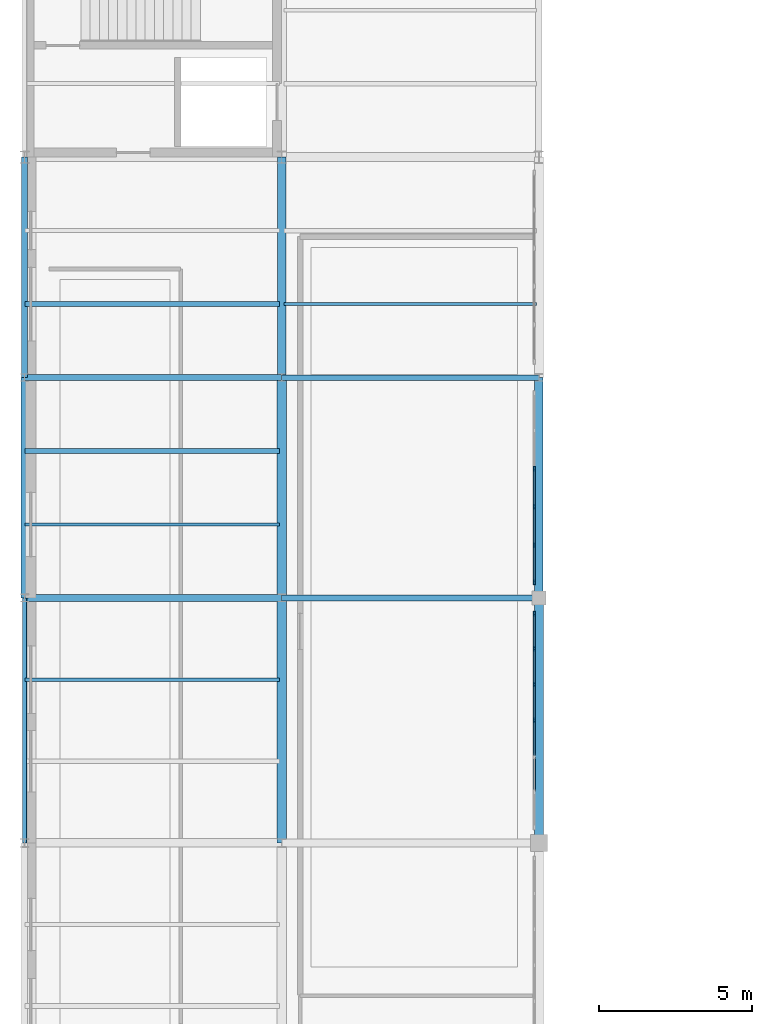
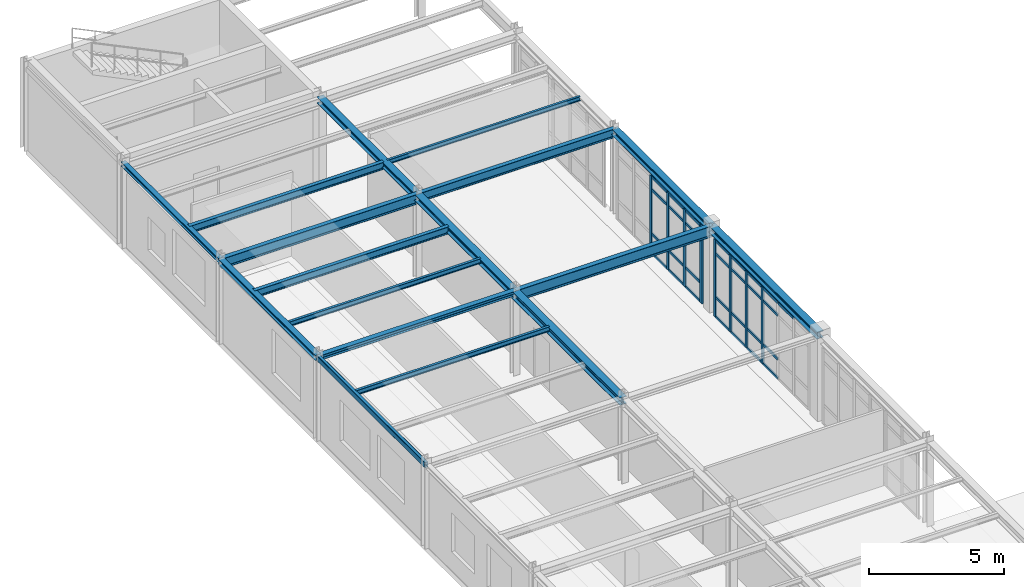
# One storey, part 18 of 58: 37 members, 17 beams, 2 elements without a shape of their own.
"""IFC4 building model written with IfcOpenShell, lengths in metres."""

from ifc_helpers import new_model, si_unit, derived_unit, direction, frame, origin, origin_2d, place, context, subcontext, project, spatial, rectangle, hollow_rectangle, i_section, extrude, material, layer, layer_set, material_profile, profile_set, type_object, element, aggregate, save


model = new_model("IFC4")

# Units and contexts
model_context = context("Model", 3, precision=1e-05, world=origin(), true_north=direction((0.0, 1.0)))
body_context = subcontext(model_context, "Body", "Model", "MODEL_VIEW")
ifc_project = project(units=[si_unit("LENGTHUNIT", "METRE"), si_unit("AREAUNIT", "SQUARE_METRE"), si_unit("VOLUMEUNIT", "CUBIC_METRE"), si_unit("PLANEANGLEUNIT", "RADIAN"), si_unit("MASSUNIT", "GRAM", prefix="KILO"), derived_unit("THERMALTRANSMITTANCEUNIT", [(si_unit("POWERUNIT", "WATT"), 1), (si_unit("AREAUNIT", "SQUARE_METRE"), -1), (si_unit("THERMODYNAMICTEMPERATUREUNIT", "KELVIN"), -1)])], contexts=[model_context])

# Site, building, storey
site_placement = place(None, origin())
site = spatial("IfcSite", under=ifc_project, at=site_placement, CompositionType="ELEMENT")
building_placement = place(site_placement, origin())
building = spatial("IfcBuilding", under=site, at=building_placement, Name="Yasenodar Specialist Clinic", CompositionType="ELEMENT")
storey_placement = place(building_placement, frame((0.0, 0.0, 17.25)))
storey = spatial("IfcBuildingStorey", under=building, at=storey_placement, Name="L04", CompositionType="ELEMENT", Elevation=17.25)

# Beams
ifc_material_1 = material(Name="Steel S355", Category="steel")
ifc_material_profile_1 = material_profile(ifc_material_1, i_section(OverallWidth=0.219970703125, OverallDepth=0.2099609375, WebThickness=0.007080078125, FlangeThickness=0.010986328125, FilletRadius=0.01806640625, at=origin_2d()), Name="HEA 220")
ifc_profile_set_1 = profile_set([ifc_material_profile_1], Name="Steel S355")
beam_type_1 = type_object("IfcBeamType", Name="BM-HEA220", PredefinedType="BEAM", material=ifc_profile_set_1)
beam_1_placement = place(storey_placement, frame((0.0, 82.800048828125, 3.695068359375), z_axis=(1.0, 0.0, 0.0), x_axis=(0.0, 1.0, 0.0)))
element("IfcBeam", 1, at=beam_1_placement, inside=storey, type_object=beam_type_1, Name="L04 Primary E-W Girder", PredefinedType="BEAM", context=body_context, shape_type="SweptSolid", body=[
    extrude(i_section(OverallWidth=0.219970703125, OverallDepth=0.2099609375, WebThickness=0.007080078125, FlangeThickness=0.010986328125, FilletRadius=0.01806640625, at=origin_2d()), origin(), (0.0, 0.0, 1.0), 8.39990234375),
])
ifc_material_profile_2 = material_profile(ifc_material_1, i_section(OverallWidth=0.280029296875, OverallDepth=0.280029296875, WebThickness=0.010498046875, FlangeThickness=0.01806640625, FilletRadius=0.02392578125, at=origin_2d()), Name="HEB 280")
ifc_profile_set_2 = profile_set([ifc_material_profile_2], Name="Steel S355")
beam_type_2 = type_object("IfcBeamType", Name="BM-HEB280", PredefinedType="BEAM", material=ifc_profile_set_2)
for number, where, z_axis, x_axis, name in (
    (2, (8.39990234375, 90.0, 3.659912109375), (0.0, 1.0, 0.0), (-1.0, 0.0, 0.0), "L04 Primary N-S Girder"),
    (3, (16.800048828125, 82.800048828125, 3.659912109375), (0.0, 1.0, 0.0), (-1.0, 0.0, 0.0), "L04 Primary N-S Girder"),
):
    element("IfcBeam", number, at=place(storey_placement, frame(where, z_axis=z_axis, x_axis=x_axis)), inside=storey, type_object=beam_type_2, Name=name, PredefinedType="BEAM", context=body_context, shape_type="SweptSolid", body=[
        extrude(i_section(OverallWidth=0.280029296875, OverallDepth=0.280029296875, WebThickness=0.010498046875, FlangeThickness=0.01806640625, FilletRadius=0.02392578125, at=origin_2d()), origin(), (0.0, 0.0, 1.0), 7.199951171875),
    ])
ifc_material_profile_3 = material_profile(ifc_material_1, i_section(OverallWidth=0.300048828125, OverallDepth=0.300048828125, WebThickness=0.010986328125, FlangeThickness=0.01904296875, FilletRadius=0.027099609375, at=origin_2d()), Name="HEB 300")
ifc_profile_set_3 = profile_set([ifc_material_profile_3], Name="Steel S355")
beam_type_3 = type_object("IfcBeamType", Name="BM-HEB300", PredefinedType="BEAM", material=ifc_profile_set_3)
beam_2_placement = place(storey_placement, frame((8.39990234375, 82.800048828125, 3.64990234375), z_axis=(0.0, 1.0, 0.0), x_axis=(-1.0, 0.0, 0.0)))
element("IfcBeam", 4, at=beam_2_placement, inside=storey, type_object=beam_type_3, Name="L04 Primary N-S Girder", PredefinedType="BEAM", context=body_context, shape_type="SweptSolid", body=[
    extrude(i_section(OverallWidth=0.300048828125, OverallDepth=0.300048828125, WebThickness=0.010986328125, FlangeThickness=0.01904296875, FilletRadius=0.027099609375, at=origin_2d()), origin(), (0.0, 0.0, 1.0), 7.199951171875),
])
beam_3_placement = place(storey_placement, frame((16.800048828125, 74.800048828125, 3.64990234375), z_axis=(0.0, 1.0, 0.0), x_axis=(-1.0, 0.0, 0.0)))
element("IfcBeam", 5, at=beam_3_placement, inside=storey, type_object=beam_type_3, Name="L04 Primary N-S Girder", PredefinedType="BEAM", context=body_context, shape_type="SweptSolid", body=[
    extrude(i_section(OverallWidth=0.300048828125, OverallDepth=0.300048828125, WebThickness=0.010986328125, FlangeThickness=0.01904296875, FilletRadius=0.027099609375, at=origin_2d()), origin(), (0.0, 0.0, 1.0), 8.0),
])
ifc_material_profile_4 = material_profile(ifc_material_1, i_section(OverallWidth=0.300048828125, OverallDepth=0.340087890625, WebThickness=0.011962890625, FlangeThickness=0.021484375, FilletRadius=0.027099609375, at=origin_2d()), Name="HEB 340")
ifc_profile_set_4 = profile_set([ifc_material_profile_4], Name="Steel S355")
beam_type_4 = type_object("IfcBeamType", Name="BM-HEB340", PredefinedType="BEAM", material=ifc_profile_set_4)
beam_4_placement = place(storey_placement, frame((8.39990234375, 74.800048828125, 3.6298828125), z_axis=(0.0, 1.0, 0.0), x_axis=(-1.0, 0.0, 0.0)))
element("IfcBeam", 6, at=beam_4_placement, inside=storey, type_object=beam_type_4, Name="L04 Primary N-S Girder", PredefinedType="BEAM", context=body_context, shape_type="SweptSolid", body=[
    extrude(i_section(OverallWidth=0.300048828125, OverallDepth=0.340087890625, WebThickness=0.011962890625, FlangeThickness=0.021484375, FilletRadius=0.027099609375, at=origin_2d()), origin(), (0.0, 0.0, 1.0), 8.0),
])
ifc_material_profile_5 = material_profile(ifc_material_1, i_section(OverallWidth=0.179931640625, OverallDepth=0.39990234375, WebThickness=0.008544921875, FlangeThickness=0.013427734375, FilletRadius=0.02099609375, at=origin_2d()), Name="IPE 400")
ifc_profile_set_5 = profile_set([ifc_material_profile_5], Name="Steel S355")
beam_type_5 = type_object("IfcBeamType", Name="BM-IPE400", PredefinedType="BEAM", material=ifc_profile_set_5)
beam_5_placement = place(storey_placement, frame((8.39990234375, 90.0, 3.60009765625), z_axis=(1.0, 0.0, 0.0), x_axis=(0.0, 1.0, 0.0)))
element("IfcBeam", 7, at=beam_5_placement, inside=storey, type_object=beam_type_5, Name="L04 Primary E-W Girder", PredefinedType="BEAM", context=body_context, shape_type="SweptSolid", body=[
    extrude(i_section(OverallWidth=0.179931640625, OverallDepth=0.39990234375, WebThickness=0.008544921875, FlangeThickness=0.013427734375, FilletRadius=0.02099609375, at=origin_2d()), origin(), (0.0, 0.0, 1.0), 8.400146484375),
])
ifc_material_profile_6 = material_profile(ifc_material_1, i_section(OverallWidth=0.18994140625, OverallDepth=0.449951171875, WebThickness=0.009521484375, FlangeThickness=0.0146484375, FilletRadius=0.02099609375, at=origin_2d()), Name="IPE 450")
ifc_profile_set_6 = profile_set([ifc_material_profile_6], Name="Steel S355")
beam_type_6 = type_object("IfcBeamType", Name="BM-IPE450", PredefinedType="BEAM", material=ifc_profile_set_6)
beam_6_placement = place(storey_placement, frame((0.0, 90.0, 3.574951171875), z_axis=(1.0, 0.0, 0.0), x_axis=(0.0, 1.0, 0.0)))
element("IfcBeam", 8, at=beam_6_placement, inside=storey, type_object=beam_type_6, Name="L04 Primary E-W Girder", PredefinedType="BEAM", context=body_context, shape_type="SweptSolid", body=[
    extrude(i_section(OverallWidth=0.18994140625, OverallDepth=0.449951171875, WebThickness=0.009521484375, FlangeThickness=0.0146484375, FilletRadius=0.02099609375, at=origin_2d()), origin(), (0.0, 0.0, 1.0), 8.39990234375),
])
ifc_material_profile_7 = material_profile(ifc_material_1, i_section(OverallWidth=0.199951171875, OverallDepth=0.5, WebThickness=0.01025390625, FlangeThickness=0.01611328125, FilletRadius=0.02099609375, at=origin_2d()), Name="IPE 500")
ifc_profile_set_7 = profile_set([ifc_material_profile_7], Name="Steel S355")
beam_type_7 = type_object("IfcBeamType", Name="BM-IPE500", PredefinedType="BEAM", material=ifc_profile_set_7)
beam_7_placement = place(storey_placement, frame((8.39990234375, 82.800048828125, 3.550048828125), z_axis=(1.0, 0.0, 0.0), x_axis=(0.0, 1.0, 0.0)))
element("IfcBeam", 9, at=beam_7_placement, inside=storey, type_object=beam_type_7, Name="L04 Primary E-W Girder", PredefinedType="BEAM", context=body_context, shape_type="SweptSolid", body=[
    extrude(i_section(OverallWidth=0.199951171875, OverallDepth=0.5, WebThickness=0.01025390625, FlangeThickness=0.01611328125, FilletRadius=0.02099609375, at=origin_2d()), origin(), (0.0, 0.0, 1.0), 8.400146484375),
])

# Curtain wall, members
ifc_material_2 = material(Name="Bronze Anodized Aluminium and Triple Low-E Glass", Category="aluminium")
ifc_layer = layer(ifc_material_2, 0.202880859375)
ifc_layer_set = layer_set([ifc_layer], Name="Bronze Anodized Aluminium and Triple Low-E Glass")
curtain_wall_type = type_object("IfcCurtainWallType", Name="CW-SYS-04", PredefinedType="USERDEFINED", material=ifc_layer_set)
curtain_wall_1_placement = place(storey_placement, origin())
curtain_wall_1 = element("IfcCurtainWall", 10, at=curtain_wall_1_placement, inside=storey, type_object=curtain_wall_type, Name="L04 Unitised Curtain Wall 137", ObjectType="UNITISED CURTAIN WALL", PredefinedType="USERDEFINED")
ifc_material_3 = material(Name="Bronze Anodized Aluminium", Category="aluminium")
ifc_material_profile_8 = material_profile(ifc_material_3, rectangle(XDim=0.06005859375, YDim=0.159912109375, at=origin_2d()), Name="CW-MULL 60x160")
ifc_profile_set_8 = profile_set([ifc_material_profile_8], Name="Bronze Anodized Aluminium")
member_type_1 = type_object("IfcMemberType", Name="CW-MULL-160", PredefinedType="MULLION", material=ifc_profile_set_8)
member_1_placement = place(storey_placement, frame((16.64990234375, 87.02392578125, 0.0), z_axis=(0.0, 0.0, 1.0), x_axis=(1.0, 0.0, 0.0)))
member_1 = element("IfcMember", 11, at=member_1_placement, type_object=member_type_1, Name="CW-04 mullion 3", PredefinedType="MULLION", context=body_context, shape_type="SweptSolid", body=[
    extrude(rectangle(XDim=0.06005859375, YDim=0.159912109375, at=origin_2d()), origin(), (0.0, 0.0, 1.0), 3.498046875),
])
member_2_placement = place(storey_placement, frame((16.64990234375, 85.77587890625, 0.0), z_axis=(0.0, 0.0, 1.0), x_axis=(1.0, 0.0, 0.0)))
member_2 = element("IfcMember", 12, at=member_2_placement, type_object=member_type_1, Name="CW-04 mullion 4", PredefinedType="MULLION", context=body_context, shape_type="SweptSolid", body=[
    extrude(rectangle(XDim=0.06005859375, YDim=0.159912109375, at=origin_2d()), origin(), (0.0, 0.0, 1.0), 3.498046875),
])
member_3_placement = place(storey_placement, frame((16.64990234375, 84.528076171875, 0.0), z_axis=(0.0, 0.0, 1.0), x_axis=(1.0, 0.0, 0.0)))
member_3 = element("IfcMember", 13, at=member_3_placement, type_object=member_type_1, Name="CW-04 mullion 5", PredefinedType="MULLION", context=body_context, shape_type="SweptSolid", body=[
    extrude(rectangle(XDim=0.06005859375, YDim=0.159912109375, at=origin_2d()), origin(), (0.0, 0.0, 1.0), 3.498046875),
])
member_4_placement = place(storey_placement, frame((16.64990234375, 83.31005859375, 0.0), z_axis=(0.0, 0.0, 1.0), x_axis=(1.0, 0.0, 0.0)))
member_4 = element("IfcMember", 14, at=member_4_placement, type_object=member_type_1, Name="CW-04 mullion 6", PredefinedType="MULLION", context=body_context, shape_type="SweptSolid", body=[
    extrude(rectangle(XDim=0.06005859375, YDim=0.159912109375, at=origin_2d()), origin(), (0.0, 0.0, 1.0), 3.498046875),
])

curtain_wall_2_placement = place(storey_placement, origin())
curtain_wall_2 = element("IfcCurtainWall", 15, at=curtain_wall_2_placement, inside=storey, type_object=curtain_wall_type, Name="L04 Unitised Curtain Wall 138", ObjectType="UNITISED CURTAIN WALL", PredefinedType="USERDEFINED")
member_5_placement = place(storey_placement, frame((16.64990234375, 82.2900390625, 0.0), z_axis=(0.0, 0.0, 1.0), x_axis=(1.0, 0.0, 0.0)))
member_5 = element("IfcMember", 16, at=member_5_placement, type_object=member_type_1, Name="CW-04 mullion 1", PredefinedType="MULLION", context=body_context, shape_type="SweptSolid", body=[
    extrude(rectangle(XDim=0.06005859375, YDim=0.159912109375, at=origin_2d()), origin(), (0.0, 0.0, 1.0), 3.47802734375),
])
member_6_placement = place(storey_placement, frame((16.64990234375, 81.146728515625, 0.0), z_axis=(0.0, 0.0, 1.0), x_axis=(1.0, 0.0, 0.0)))
member_6 = element("IfcMember", 17, at=member_6_placement, type_object=member_type_1, Name="CW-04 mullion 2", PredefinedType="MULLION", context=body_context, shape_type="SweptSolid", body=[
    extrude(rectangle(XDim=0.06005859375, YDim=0.159912109375, at=origin_2d()), origin(), (0.0, 0.0, 1.0), 3.47802734375),
])
member_7_placement = place(storey_placement, frame((16.64990234375, 79.973388671875, 0.0), z_axis=(0.0, 0.0, 1.0), x_axis=(1.0, 0.0, 0.0)))
member_7 = element("IfcMember", 18, at=member_7_placement, type_object=member_type_1, Name="CW-04 mullion 3", PredefinedType="MULLION", context=body_context, shape_type="SweptSolid", body=[
    extrude(rectangle(XDim=0.06005859375, YDim=0.159912109375, at=origin_2d()), origin(), (0.0, 0.0, 1.0), 3.47802734375),
])
member_8_placement = place(storey_placement, frame((16.64990234375, 78.800048828125, 0.0), z_axis=(0.0, 0.0, 1.0), x_axis=(1.0, 0.0, 0.0)))
member_8 = element("IfcMember", 19, at=member_8_placement, type_object=member_type_1, Name="CW-04 mullion 4", PredefinedType="MULLION", context=body_context, shape_type="SweptSolid", body=[
    extrude(rectangle(XDim=0.06005859375, YDim=0.159912109375, at=origin_2d()), origin(), (0.0, 0.0, 1.0), 3.47802734375),
])

# Member
ifc_material_profile_9 = material_profile(ifc_material_3, rectangle(XDim=0.06005859375, YDim=0.1201171875, at=origin_2d()), Name="CW-TRAN 60x120")
ifc_profile_set_9 = profile_set([ifc_material_profile_9], Name="Bronze Anodized Aluminium")
member_type_2 = type_object("IfcMemberType", Name="CW-TRAN-120", PredefinedType="USERDEFINED", material=ifc_profile_set_9)
member_9_placement = place(storey_placement, frame((16.64990234375, 86.993896484375, 0.030029296875), z_axis=(0.0, -1.0, 0.0), x_axis=(1.0, 0.0, 0.0)))
member_9 = element("IfcMember", 20, at=member_9_placement, type_object=member_type_2, Name="CW-04 transom 3.1", ObjectType="TRANSOM", PredefinedType="USERDEFINED", context=body_context, shape_type="SweptSolid", body=[
    extrude(rectangle(XDim=0.06005859375, YDim=0.1201171875, at=origin_2d()), origin(), (0.0, 0.0, 1.0), 1.18798828125),
])

member_10_placement = place(storey_placement, frame((16.64990234375, 86.993896484375, 0.89990234375), z_axis=(0.0, -1.0, 0.0), x_axis=(1.0, 0.0, 0.0)))
member_10 = element("IfcMember", 21, at=member_10_placement, type_object=member_type_2, Name="CW-04 transom 3.2", ObjectType="TRANSOM", PredefinedType="USERDEFINED", context=body_context, shape_type="SweptSolid", body=[
    extrude(rectangle(XDim=0.06005859375, YDim=0.1201171875, at=origin_2d()), origin(), (0.0, 0.0, 1.0), 1.18798828125),
])

member_11_placement = place(storey_placement, frame((16.64990234375, 86.993896484375, 2.89794921875), z_axis=(0.0, -1.0, 0.0), x_axis=(1.0, 0.0, 0.0)))
member_11 = element("IfcMember", 22, at=member_11_placement, type_object=member_type_2, Name="CW-04 transom 3.3", ObjectType="TRANSOM", PredefinedType="USERDEFINED", context=body_context, shape_type="SweptSolid", body=[
    extrude(rectangle(XDim=0.06005859375, YDim=0.1201171875, at=origin_2d()), origin(), (0.0, 0.0, 1.0), 1.18798828125),
])

member_12_placement = place(storey_placement, frame((16.64990234375, 86.993896484375, 3.468017578125), z_axis=(0.0, -1.0, 0.0), x_axis=(1.0, 0.0, 0.0)))
member_12 = element("IfcMember", 23, at=member_12_placement, type_object=member_type_2, Name="CW-04 transom 3.4", ObjectType="TRANSOM", PredefinedType="USERDEFINED", context=body_context, shape_type="SweptSolid", body=[
    extrude(rectangle(XDim=0.06005859375, YDim=0.1201171875, at=origin_2d()), origin(), (0.0, 0.0, 1.0), 1.18798828125),
])

member_13_placement = place(storey_placement, frame((16.64990234375, 85.74609375, 0.030029296875), z_axis=(0.0, -1.0, 0.0), x_axis=(1.0, 0.0, 0.0)))
member_13 = element("IfcMember", 24, at=member_13_placement, type_object=member_type_2, Name="CW-04 transom 4.1", ObjectType="TRANSOM", PredefinedType="USERDEFINED", context=body_context, shape_type="SweptSolid", body=[
    extrude(rectangle(XDim=0.06005859375, YDim=0.1201171875, at=origin_2d()), origin(), (0.0, 0.0, 1.0), 1.18798828125),
])

member_14_placement = place(storey_placement, frame((16.64990234375, 85.74609375, 0.89990234375), z_axis=(0.0, -1.0, 0.0), x_axis=(1.0, 0.0, 0.0)))
member_14 = element("IfcMember", 25, at=member_14_placement, type_object=member_type_2, Name="CW-04 transom 4.2", ObjectType="TRANSOM", PredefinedType="USERDEFINED", context=body_context, shape_type="SweptSolid", body=[
    extrude(rectangle(XDim=0.06005859375, YDim=0.1201171875, at=origin_2d()), origin(), (0.0, 0.0, 1.0), 1.18798828125),
])

member_15_placement = place(storey_placement, frame((16.64990234375, 85.74609375, 2.89794921875), z_axis=(0.0, -1.0, 0.0), x_axis=(1.0, 0.0, 0.0)))
member_15 = element("IfcMember", 26, at=member_15_placement, type_object=member_type_2, Name="CW-04 transom 4.3", ObjectType="TRANSOM", PredefinedType="USERDEFINED", context=body_context, shape_type="SweptSolid", body=[
    extrude(rectangle(XDim=0.06005859375, YDim=0.1201171875, at=origin_2d()), origin(), (0.0, 0.0, 1.0), 1.18798828125),
])

member_16_placement = place(storey_placement, frame((16.64990234375, 85.74609375, 3.468017578125), z_axis=(0.0, -1.0, 0.0), x_axis=(1.0, 0.0, 0.0)))
member_16 = element("IfcMember", 27, at=member_16_placement, type_object=member_type_2, Name="CW-04 transom 4.4", ObjectType="TRANSOM", PredefinedType="USERDEFINED", context=body_context, shape_type="SweptSolid", body=[
    extrude(rectangle(XDim=0.06005859375, YDim=0.1201171875, at=origin_2d()), origin(), (0.0, 0.0, 1.0), 1.18798828125),
])

member_17_placement = place(storey_placement, frame((16.64990234375, 84.498046875, 0.030029296875), z_axis=(0.0, -1.0, 0.0), x_axis=(1.0, 0.0, 0.0)))
member_17 = element("IfcMember", 28, at=member_17_placement, type_object=member_type_2, Name="CW-04 transom 5.1", ObjectType="TRANSOM", PredefinedType="USERDEFINED", context=body_context, shape_type="SweptSolid", body=[
    extrude(rectangle(XDim=0.06005859375, YDim=0.1201171875, at=origin_2d()), origin(), (0.0, 0.0, 1.0), 1.157958984375),
])

member_18_placement = place(storey_placement, frame((16.64990234375, 84.498046875, 0.89990234375), z_axis=(0.0, -1.0, 0.0), x_axis=(1.0, 0.0, 0.0)))
member_18 = element("IfcMember", 29, at=member_18_placement, type_object=member_type_2, Name="CW-04 transom 5.2", ObjectType="TRANSOM", PredefinedType="USERDEFINED", context=body_context, shape_type="SweptSolid", body=[
    extrude(rectangle(XDim=0.06005859375, YDim=0.1201171875, at=origin_2d()), origin(), (0.0, 0.0, 1.0), 1.157958984375),
])

member_19_placement = place(storey_placement, frame((16.64990234375, 84.498046875, 2.89794921875), z_axis=(0.0, -1.0, 0.0), x_axis=(1.0, 0.0, 0.0)))
member_19 = element("IfcMember", 30, at=member_19_placement, type_object=member_type_2, Name="CW-04 transom 5.3", ObjectType="TRANSOM", PredefinedType="USERDEFINED", context=body_context, shape_type="SweptSolid", body=[
    extrude(rectangle(XDim=0.06005859375, YDim=0.1201171875, at=origin_2d()), origin(), (0.0, 0.0, 1.0), 1.157958984375),
])

member_20_placement = place(storey_placement, frame((16.64990234375, 84.498046875, 3.468017578125), z_axis=(0.0, -1.0, 0.0), x_axis=(1.0, 0.0, 0.0)))
member_20 = element("IfcMember", 31, at=member_20_placement, type_object=member_type_2, Name="CW-04 transom 5.4", ObjectType="TRANSOM", PredefinedType="USERDEFINED", context=body_context, shape_type="SweptSolid", body=[
    extrude(rectangle(XDim=0.06005859375, YDim=0.1201171875, at=origin_2d()), origin(), (0.0, 0.0, 1.0), 1.157958984375),
])

aggregate(curtain_wall_1, [member_1, member_2, member_3, member_4, member_9, member_10, member_11, member_12, member_13, member_14, member_15, member_16, member_17, member_18, member_19, member_20])

member_21_placement = place(storey_placement, frame((16.64990234375, 82.260009765625, 0.030029296875), z_axis=(0.0, -1.0, 0.0), x_axis=(1.0, 0.0, 0.0)))
member_21 = element("IfcMember", 32, at=member_21_placement, type_object=member_type_2, Name="CW-04 transom 1.1", ObjectType="TRANSOM", PredefinedType="USERDEFINED", context=body_context, shape_type="SweptSolid", body=[
    extrude(rectangle(XDim=0.06005859375, YDim=0.1201171875, at=origin_2d()), origin(), (0.0, 0.0, 1.0), 1.083251953125),
])

member_22_placement = place(storey_placement, frame((16.64990234375, 82.260009765625, 0.89990234375), z_axis=(0.0, -1.0, 0.0), x_axis=(1.0, 0.0, 0.0)))
member_22 = element("IfcMember", 33, at=member_22_placement, type_object=member_type_2, Name="CW-04 transom 1.2", ObjectType="TRANSOM", PredefinedType="USERDEFINED", context=body_context, shape_type="SweptSolid", body=[
    extrude(rectangle(XDim=0.06005859375, YDim=0.1201171875, at=origin_2d()), origin(), (0.0, 0.0, 1.0), 1.083251953125),
])

member_23_placement = place(storey_placement, frame((16.64990234375, 82.260009765625, 2.8779296875), z_axis=(0.0, -1.0, 0.0), x_axis=(1.0, 0.0, 0.0)))
member_23 = element("IfcMember", 34, at=member_23_placement, type_object=member_type_2, Name="CW-04 transom 1.3", ObjectType="TRANSOM", PredefinedType="USERDEFINED", context=body_context, shape_type="SweptSolid", body=[
    extrude(rectangle(XDim=0.06005859375, YDim=0.1201171875, at=origin_2d()), origin(), (0.0, 0.0, 1.0), 1.083251953125),
])

member_24_placement = place(storey_placement, frame((16.64990234375, 82.260009765625, 3.447998046875), z_axis=(0.0, -1.0, 0.0), x_axis=(1.0, 0.0, 0.0)))
member_24 = element("IfcMember", 35, at=member_24_placement, type_object=member_type_2, Name="CW-04 transom 1.4", ObjectType="TRANSOM", PredefinedType="USERDEFINED", context=body_context, shape_type="SweptSolid", body=[
    extrude(rectangle(XDim=0.06005859375, YDim=0.1201171875, at=origin_2d()), origin(), (0.0, 0.0, 1.0), 1.083251953125),
])

member_25_placement = place(storey_placement, frame((16.64990234375, 81.11669921875, 0.030029296875), z_axis=(0.0, -1.0, 0.0), x_axis=(1.0, 0.0, 0.0)))
member_25 = element("IfcMember", 36, at=member_25_placement, type_object=member_type_2, Name="CW-04 transom 2.1", ObjectType="TRANSOM", PredefinedType="USERDEFINED", context=body_context, shape_type="SweptSolid", body=[
    extrude(rectangle(XDim=0.06005859375, YDim=0.1201171875, at=origin_2d()), origin(), (0.0, 0.0, 1.0), 1.11328125),
])

member_26_placement = place(storey_placement, frame((16.64990234375, 81.11669921875, 0.89990234375), z_axis=(0.0, -1.0, 0.0), x_axis=(1.0, 0.0, 0.0)))
member_26 = element("IfcMember", 37, at=member_26_placement, type_object=member_type_2, Name="CW-04 transom 2.2", ObjectType="TRANSOM", PredefinedType="USERDEFINED", context=body_context, shape_type="SweptSolid", body=[
    extrude(rectangle(XDim=0.06005859375, YDim=0.1201171875, at=origin_2d()), origin(), (0.0, 0.0, 1.0), 1.11328125),
])

member_27_placement = place(storey_placement, frame((16.64990234375, 81.11669921875, 2.8779296875), z_axis=(0.0, -1.0, 0.0), x_axis=(1.0, 0.0, 0.0)))
member_27 = element("IfcMember", 38, at=member_27_placement, type_object=member_type_2, Name="CW-04 transom 2.3", ObjectType="TRANSOM", PredefinedType="USERDEFINED", context=body_context, shape_type="SweptSolid", body=[
    extrude(rectangle(XDim=0.06005859375, YDim=0.1201171875, at=origin_2d()), origin(), (0.0, 0.0, 1.0), 1.11328125),
])

member_28_placement = place(storey_placement, frame((16.64990234375, 81.11669921875, 3.447998046875), z_axis=(0.0, -1.0, 0.0), x_axis=(1.0, 0.0, 0.0)))
member_28 = element("IfcMember", 39, at=member_28_placement, type_object=member_type_2, Name="CW-04 transom 2.4", ObjectType="TRANSOM", PredefinedType="USERDEFINED", context=body_context, shape_type="SweptSolid", body=[
    extrude(rectangle(XDim=0.06005859375, YDim=0.1201171875, at=origin_2d()), origin(), (0.0, 0.0, 1.0), 1.11328125),
])

member_29_placement = place(storey_placement, frame((16.64990234375, 79.943359375, 0.030029296875), z_axis=(0.0, -1.0, 0.0), x_axis=(1.0, 0.0, 0.0)))
member_29 = element("IfcMember", 40, at=member_29_placement, type_object=member_type_2, Name="CW-04 transom 3.1", ObjectType="TRANSOM", PredefinedType="USERDEFINED", context=body_context, shape_type="SweptSolid", body=[
    extrude(rectangle(XDim=0.06005859375, YDim=0.1201171875, at=origin_2d()), origin(), (0.0, 0.0, 1.0), 1.11328125),
])

member_30_placement = place(storey_placement, frame((16.64990234375, 79.943359375, 0.89990234375), z_axis=(0.0, -1.0, 0.0), x_axis=(1.0, 0.0, 0.0)))
member_30 = element("IfcMember", 41, at=member_30_placement, type_object=member_type_2, Name="CW-04 transom 3.2", ObjectType="TRANSOM", PredefinedType="USERDEFINED", context=body_context, shape_type="SweptSolid", body=[
    extrude(rectangle(XDim=0.06005859375, YDim=0.1201171875, at=origin_2d()), origin(), (0.0, 0.0, 1.0), 1.11328125),
])

member_31_placement = place(storey_placement, frame((16.64990234375, 79.943359375, 2.8779296875), z_axis=(0.0, -1.0, 0.0), x_axis=(1.0, 0.0, 0.0)))
member_31 = element("IfcMember", 42, at=member_31_placement, type_object=member_type_2, Name="CW-04 transom 3.3", ObjectType="TRANSOM", PredefinedType="USERDEFINED", context=body_context, shape_type="SweptSolid", body=[
    extrude(rectangle(XDim=0.06005859375, YDim=0.1201171875, at=origin_2d()), origin(), (0.0, 0.0, 1.0), 1.11328125),
])

member_32_placement = place(storey_placement, frame((16.64990234375, 79.943359375, 3.447998046875), z_axis=(0.0, -1.0, 0.0), x_axis=(1.0, 0.0, 0.0)))
member_32 = element("IfcMember", 43, at=member_32_placement, type_object=member_type_2, Name="CW-04 transom 3.4", ObjectType="TRANSOM", PredefinedType="USERDEFINED", context=body_context, shape_type="SweptSolid", body=[
    extrude(rectangle(XDim=0.06005859375, YDim=0.1201171875, at=origin_2d()), origin(), (0.0, 0.0, 1.0), 1.11328125),
])

member_33_placement = place(storey_placement, frame((16.64990234375, 78.77001953125, 0.030029296875), z_axis=(0.0, -1.0, 0.0), x_axis=(1.0, 0.0, 0.0)))
member_33 = element("IfcMember", 44, at=member_33_placement, type_object=member_type_2, Name="CW-04 transom 4.1", ObjectType="TRANSOM", PredefinedType="USERDEFINED", context=body_context, shape_type="SweptSolid", body=[
    extrude(rectangle(XDim=0.06005859375, YDim=0.1201171875, at=origin_2d()), origin(), (0.0, 0.0, 1.0), 1.11328125),
])

member_34_placement = place(storey_placement, frame((16.64990234375, 78.77001953125, 0.89990234375), z_axis=(0.0, -1.0, 0.0), x_axis=(1.0, 0.0, 0.0)))
member_34 = element("IfcMember", 45, at=member_34_placement, type_object=member_type_2, Name="CW-04 transom 4.2", ObjectType="TRANSOM", PredefinedType="USERDEFINED", context=body_context, shape_type="SweptSolid", body=[
    extrude(rectangle(XDim=0.06005859375, YDim=0.1201171875, at=origin_2d()), origin(), (0.0, 0.0, 1.0), 1.11328125),
])

member_35_placement = place(storey_placement, frame((16.64990234375, 78.77001953125, 2.8779296875), z_axis=(0.0, -1.0, 0.0), x_axis=(1.0, 0.0, 0.0)))
member_35 = element("IfcMember", 46, at=member_35_placement, type_object=member_type_2, Name="CW-04 transom 4.3", ObjectType="TRANSOM", PredefinedType="USERDEFINED", context=body_context, shape_type="SweptSolid", body=[
    extrude(rectangle(XDim=0.06005859375, YDim=0.1201171875, at=origin_2d()), origin(), (0.0, 0.0, 1.0), 1.11328125),
])

member_36_placement = place(storey_placement, frame((16.64990234375, 78.77001953125, 3.447998046875), z_axis=(0.0, -1.0, 0.0), x_axis=(1.0, 0.0, 0.0)))
member_36 = element("IfcMember", 47, at=member_36_placement, type_object=member_type_2, Name="CW-04 transom 4.4", ObjectType="TRANSOM", PredefinedType="USERDEFINED", context=body_context, shape_type="SweptSolid", body=[
    extrude(rectangle(XDim=0.06005859375, YDim=0.1201171875, at=origin_2d()), origin(), (0.0, 0.0, 1.0), 1.11328125),
])

member_37_placement = place(storey_placement, frame((16.64990234375, 77.5966796875, 3.447998046875), z_axis=(0.0, -1.0, 0.0), x_axis=(1.0, 0.0, 0.0)))
member_37 = element("IfcMember", 48, at=member_37_placement, type_object=member_type_2, Name="CW-04 transom 5.4", ObjectType="TRANSOM", PredefinedType="USERDEFINED", context=body_context, shape_type="SweptSolid", body=[
    extrude(rectangle(XDim=0.06005859375, YDim=0.1201171875, at=origin_2d()), origin(), (0.0, 0.0, 1.0), 1.11328125),
])

aggregate(curtain_wall_2, [member_5, member_6, member_7, member_8, member_21, member_22, member_23, member_24, member_25, member_26, member_27, member_28, member_29, member_30, member_31, member_32, member_33, member_34, member_35, member_36, member_37])

# Beams
ifc_material_profile_10 = material_profile(ifc_material_1, i_section(OverallWidth=0.10009765625, OverallDepth=0.199951171875, WebThickness=0.005615234375, FlangeThickness=0.008544921875, FilletRadius=0.011962890625, at=origin_2d()), Name="IPE 200")
ifc_profile_set_10 = profile_set([ifc_material_profile_10], Name="Steel S355")
beam_type_8 = type_object("IfcBeamType", Name="JS-IPE200", PredefinedType="JOIST", material=ifc_profile_set_10)
beam_8_placement = place(storey_placement, frame((8.47998046875, 92.39990234375, 3.699951171875), z_axis=(1.0, 0.0, 0.0), x_axis=(0.0, 1.0, 0.0)))
element("IfcBeam", 49, at=beam_8_placement, inside=storey, type_object=beam_type_8, Name="L04 Composite Floor Joist", PredefinedType="JOIST", context=body_context, shape_type="SweptSolid", body=[
    extrude(i_section(OverallWidth=0.10009765625, OverallDepth=0.199951171875, WebThickness=0.005615234375, FlangeThickness=0.008544921875, FilletRadius=0.011962890625, at=origin_2d()), origin(), (0.0, 0.0, 1.0), 8.239990234375),
])
ifc_material_profile_11 = material_profile(ifc_material_1, i_section(OverallWidth=0.110107421875, OverallDepth=0.219970703125, WebThickness=0.005859375, FlangeThickness=0.00927734375, FilletRadius=0.011962890625, at=origin_2d()), Name="IPE 220")
ifc_profile_set_11 = profile_set([ifc_material_profile_11], Name="Steel S355")
beam_type_9 = type_object("IfcBeamType", Name="JS-IPE220", PredefinedType="JOIST", material=ifc_profile_set_11)
for number, where, z_axis, x_axis, name in (
    (50, (0.014892578125, 80.13330078125, 3.68994140625), (1.0, 0.0, 0.0), (0.0, 1.0, 0.0), "L04 Composite Floor Joist"),
    (51, (0.014892578125, 85.199951171875, 3.68994140625), (1.0, 0.0, 0.0), (0.0, 1.0, 0.0), "L04 Composite Floor Joist"),
):
    element("IfcBeam", number, at=place(storey_placement, frame(where, z_axis=z_axis, x_axis=x_axis)), inside=storey, type_object=beam_type_9, Name=name, PredefinedType="JOIST", context=body_context, shape_type="SweptSolid", body=[
        extrude(i_section(OverallWidth=0.110107421875, OverallDepth=0.219970703125, WebThickness=0.005859375, FlangeThickness=0.00927734375, FilletRadius=0.011962890625, at=origin_2d()), origin(), (0.0, 0.0, 1.0), 8.30517578125),
    ])
ifc_material_profile_12 = material_profile(ifc_material_1, i_section(OverallWidth=0.159912109375, OverallDepth=0.330078125, WebThickness=0.007568359375, FlangeThickness=0.011474609375, FilletRadius=0.01806640625, at=origin_2d()), Name="IPE 330")
ifc_profile_set_12 = profile_set([ifc_material_profile_12], Name="Steel S355")
beam_type_10 = type_object("IfcBeamType", Name="JS-IPE330", PredefinedType="JOIST", material=ifc_profile_set_12)
for number, where, z_axis, x_axis, name in (
    (52, (0.014892578125, 87.60009765625, 3.635009765625), (1.0, 0.0, 0.0), (0.0, 1.0, 0.0), "L04 Composite Floor Joist"),
    (53, (0.014892578125, 92.39990234375, 3.635009765625), (1.0, 0.0, 0.0), (0.0, 1.0, 0.0), "L04 Composite Floor Joist"),
):
    element("IfcBeam", number, at=place(storey_placement, frame(where, z_axis=z_axis, x_axis=x_axis)), inside=storey, type_object=beam_type_10, Name=name, PredefinedType="JOIST", context=body_context, shape_type="SweptSolid", body=[
        extrude(i_section(OverallWidth=0.159912109375, OverallDepth=0.330078125, WebThickness=0.007568359375, FlangeThickness=0.011474609375, FilletRadius=0.01806640625, at=origin_2d()), origin(), (0.0, 0.0, 1.0), 8.30517578125),
    ])
ifc_material_profile_13 = material_profile(ifc_material_1, i_section(OverallWidth=0.199951171875, OverallDepth=0.18994140625, WebThickness=0.006591796875, FlangeThickness=0.010009765625, FilletRadius=0.01806640625, at=origin_2d()), Name="HEA 200")
ifc_profile_set_13 = profile_set([ifc_material_profile_13], Name="Steel S355")
beam_type_11 = type_object("IfcBeamType", Name="SP-HEA200", PredefinedType="SPANDREL", material=ifc_profile_set_13)
beam_9_placement = place(storey_placement, frame((0.0, 90.0, 3.705078125), z_axis=(0.0, 1.0, 0.0), x_axis=(-1.0, 0.0, 0.0)))
element("IfcBeam", 54, at=beam_9_placement, inside=storey, type_object=beam_type_11, Name="L04 Perimeter Spandrel Beam", PredefinedType="SPANDREL", context=body_context, shape_type="SweptSolid", body=[
    extrude(i_section(OverallWidth=0.199951171875, OverallDepth=0.18994140625, WebThickness=0.006591796875, FlangeThickness=0.010009765625, FilletRadius=0.01806640625, at=origin_2d()), origin(), (0.0, 0.0, 1.0), 7.199951171875),
])
ifc_material_profile_14 = material_profile(ifc_material_1, i_section(OverallWidth=0.239990234375, OverallDepth=0.22998046875, WebThickness=0.007568359375, FlangeThickness=0.011962890625, FilletRadius=0.02099609375, at=origin_2d()), Name="HEA 240")
ifc_profile_set_14 = profile_set([ifc_material_profile_14], Name="Steel S355")
beam_type_12 = type_object("IfcBeamType", Name="SP-HEA240", PredefinedType="SPANDREL", material=ifc_profile_set_14)
beam_10_placement = place(storey_placement, frame((0.0, 82.800048828125, 3.68505859375), z_axis=(0.0, 1.0, 0.0), x_axis=(-1.0, 0.0, 0.0)))
element("IfcBeam", 55, at=beam_10_placement, inside=storey, type_object=beam_type_12, Name="L04 Perimeter Spandrel Beam", PredefinedType="SPANDREL", context=body_context, shape_type="SweptSolid", body=[
    extrude(i_section(OverallWidth=0.239990234375, OverallDepth=0.22998046875, WebThickness=0.007568359375, FlangeThickness=0.011962890625, FilletRadius=0.02099609375, at=origin_2d()), origin(), (0.0, 0.0, 1.0), 7.199951171875),
])
ifc_material_profile_15 = material_profile(ifc_material_1, hollow_rectangle(XDim=0.14990234375, YDim=0.25, WallThickness=0.010009765625, InnerFilletRadius=0.014892578125, OuterFilletRadius=0.02490234375, at=origin_2d()), Name="RHS 250x150x10")
ifc_profile_set_15 = profile_set([ifc_material_profile_15], Name="Steel S355")
beam_type_13 = type_object("IfcBeamType", Name="SP-RHS250", PredefinedType="SPANDREL", material=ifc_profile_set_15)
beam_11_placement = place(storey_placement, frame((0.0, 74.800048828125, 3.675048828125), z_axis=(0.0, 1.0, 0.0), x_axis=(-1.0, 0.0, 0.0)))
element("IfcBeam", 56, at=beam_11_placement, inside=storey, type_object=beam_type_13, Name="L04 Perimeter Spandrel Beam", PredefinedType="SPANDREL", context=body_context, shape_type="SweptSolid", body=[
    extrude(hollow_rectangle(XDim=0.14990234375, YDim=0.25, WallThickness=0.010009765625, InnerFilletRadius=0.014892578125, OuterFilletRadius=0.02490234375, at=origin_2d()), origin(), (0.0, 0.0, 1.0), 8.0),
])

save(model, "model.ifc")
